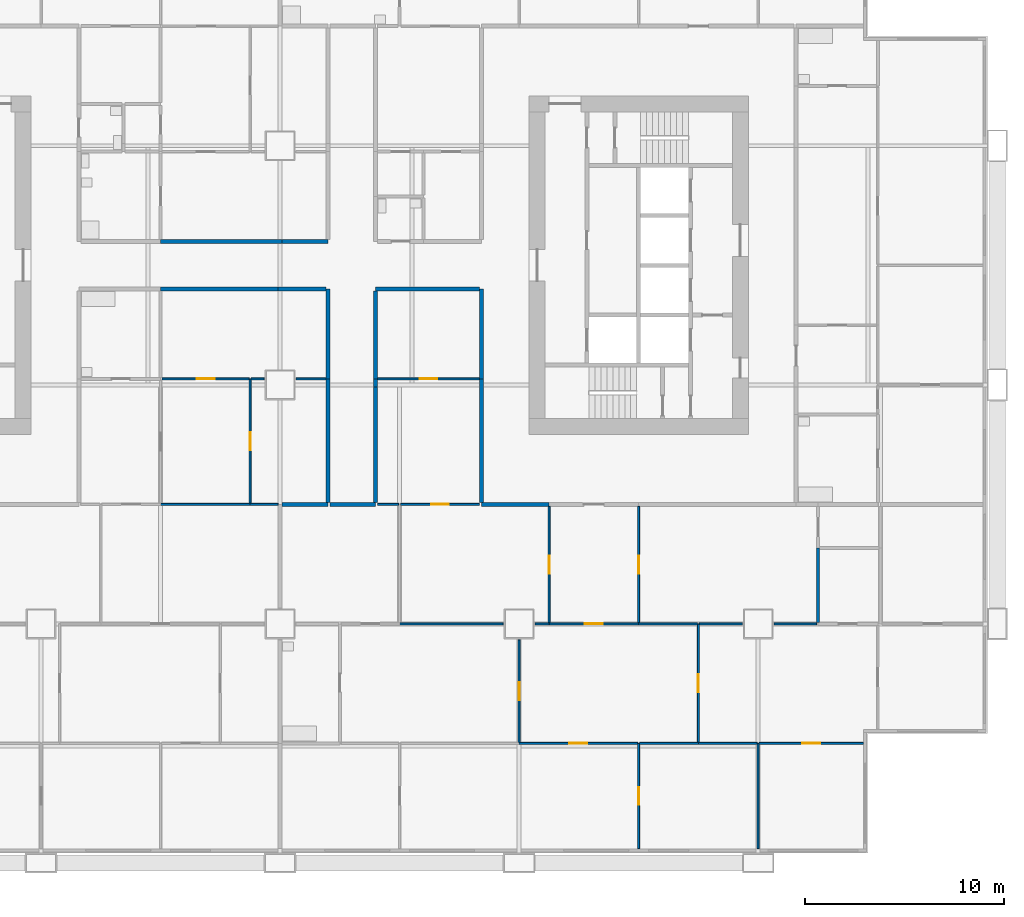
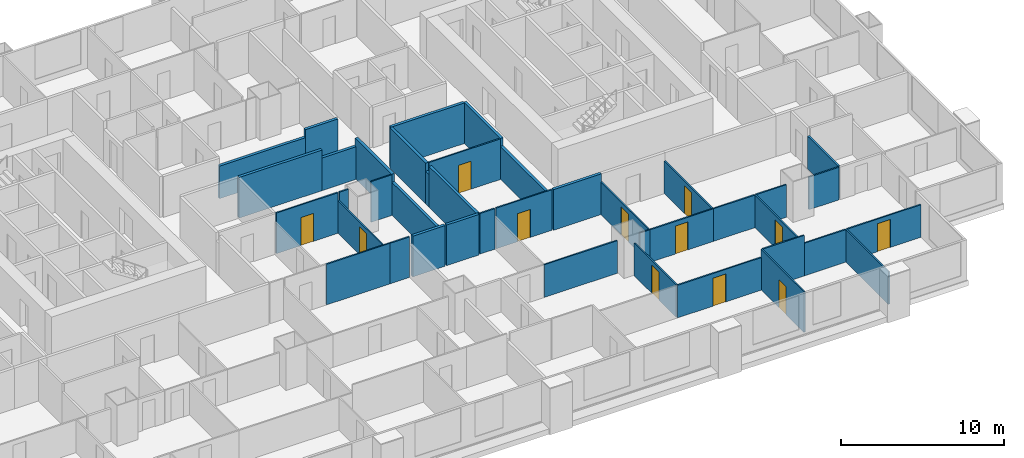
# One storey, part 5 of 13: 41 walls, 12 doors, 12 openings.
"""IFC4 building model written with IfcOpenShell, lengths in metres."""

from ifc_helpers import new_model, si_unit, direction, frame, frame_2d, origin, place, context, subcontext, project, spatial, rectangle, extrude, material, layer, layer_set, type_object, element, fill, save


model = new_model("IFC4")

# Units and contexts
model_context = context("Model", 3, precision=1e-05, world=origin(), true_north=direction((0.0, 1.0)))
body_context = subcontext(model_context, "Body", "Model", "MODEL_VIEW")
ifc_project = project(units=[si_unit("LENGTHUNIT", "METRE"), si_unit("AREAUNIT", "SQUARE_METRE"), si_unit("VOLUMEUNIT", "CUBIC_METRE"), si_unit("PLANEANGLEUNIT", "RADIAN"), si_unit("MASSUNIT", "GRAM", prefix="KILO")], contexts=[model_context])

# Site, building, storey
site_placement = place(None, origin())
site = spatial("IfcSite", under=ifc_project, at=site_placement, CompositionType="ELEMENT")
building_placement = place(site_placement, origin())
building = spatial("IfcBuilding", under=site, at=building_placement, Name="Kitamizu Gate Tower and Museum", CompositionType="ELEMENT")
storey_placement = place(building_placement, frame((0.0, 0.0, 88.64990234375)))
storey = spatial("IfcBuildingStorey", under=building, at=storey_placement, Name="L22", CompositionType="ELEMENT", Elevation=88.64990234375)

# Walls
ifc_material_1 = material(Name="Gypsum board on galvanised stud")
ifc_layer_1 = layer(ifc_material_1, 0.10009765625)
ifc_layer_set_1 = layer_set([ifc_layer_1], Name="Gypsum board on galvanised stud")
wall_type_1 = type_object("IfcWallType", Name="Partition 100 NOT RATED", PredefinedType="PARTITIONING", material=ifc_layer_set_1)
wall_1_placement = place(storey_placement, frame((34.5, 18.0, 0.0), z_axis=(0.0, 0.0, 1.0), x_axis=(-1.0, 0.0, 0.0)))
element("IfcWall", 1, at=wall_1_placement, inside=storey, type_object=wall_type_1, Name="Partition L22-044", PredefinedType="PARTITIONING", context=body_context, shape_type="SweptSolid", body=[
    extrude(rectangle(XDim=4.5, YDim=0.10009765625, at=frame_2d((2.25, 0.0))), origin(), (0.0, 0.0, 1.0), 3.050048828125),
])
wall_2_placement = place(storey_placement, frame((35.89990234375, 18.0, 0.0), z_axis=(0.0, 0.0, 1.0), x_axis=(-1.0, 0.0, 0.0)))
element("IfcWall", 2, at=wall_2_placement, inside=storey, type_object=wall_type_1, Name="Partition L22-045", PredefinedType="PARTITIONING", context=body_context, shape_type="SweptSolid", body=[
    extrude(rectangle(XDim=1.39990234375, YDim=0.10009765625, at=frame_2d((0.699951171875, 0.0))), origin(), (0.0, 0.0, 1.0), 3.050048828125),
])

# Wall, opening, door
wall_3_placement = place(storey_placement, frame((34.5, 18.050048828125, 0.0), z_axis=(0.0, 0.0, 1.0), x_axis=(0.0, 1.0, 0.0)))
wall_3 = element("IfcWall", 3, at=wall_3_placement, inside=storey, type_object=wall_type_1, Name="Partition L22-051", PredefinedType="PARTITIONING", context=body_context, shape_type="SweptSolid", body=[
    extrude(rectangle(XDim=6.25, YDim=0.10009765625, at=frame_2d((3.125, 0.0))), origin(), (0.0, 0.0, 1.0), 2.4501953125),
])
opening_1_placement = place(wall_3_placement, frame((2.675048828125, 0.0, 0.0)))
opening_1 = element("IfcOpeningElement", 4, at=opening_1_placement, cuts=wall_3, Name="Opening L22-018", PredefinedType="OPENING", context=body_context, shape_type="SweptSolid", body=[
    extrude(rectangle(XDim=0.89990234375, YDim=2.10009765625, at=frame_2d((0.449951171875, 1.050048828125))), frame((0.0, 0.06005859375, 0.0), z_axis=(0.0, -1.0, 0.0), x_axis=(1.0, 0.0, 0.0)), (0.0, 0.0, 1.0), 0.1201171875),
])
ifc_material_2 = material(Name="Timber door set", Category="wood")
door_type = type_object("IfcDoorType", Name="Room door 900", OperationType="NOTDEFINED", PredefinedType="DOOR", material=ifc_material_2)
door_1_placement = place(opening_1_placement, frame((0.89990234375, 0.0, 0.0), x_axis=(-1.0, 0.0, 0.0)))
door_1 = element("IfcDoor", 5, at=door_1_placement, inside=storey, type_object=door_type, Name="Door L22-018", OperationType="SINGLE_SWING_LEFT", OverallHeight=2.10009765625, OverallWidth=0.89990234375, PredefinedType="DOOR", context=body_context, shape_type="SweptSolid", body=[
    extrude(rectangle(XDim=0.89990234375, YDim=2.10009765625, at=frame_2d((0.449951171875, 1.050048828125))), frame((0.0, 0.02490234375, 0.0), z_axis=(0.0, -1.0, 0.0), x_axis=(1.0, 0.0, 0.0)), (0.0, 0.0, 1.0), 0.050048828125),
])
fill(opening_1, door_1)

wall_4_placement = place(storey_placement, frame((34.449951171875, 24.300048828125, 0.0), z_axis=(0.0, 0.0, 1.0), x_axis=(-1.0, 0.0, 0.0)))
wall_4 = element("IfcWall", 6, at=wall_4_placement, inside=storey, type_object=wall_type_1, Name="Partition L22-052", PredefinedType="PARTITIONING", context=body_context, shape_type="SweptSolid", body=[
    extrude(rectangle(XDim=4.375, YDim=0.10009765625, at=frame_2d((2.1875, 0.0))), origin(), (0.0, 0.0, 1.0), 3.050048828125),
])
opening_2_placement = place(wall_4_placement, frame((1.737548828125, 0.0, 0.0)))
opening_2 = element("IfcOpeningElement", 7, at=opening_2_placement, cuts=wall_4, Name="Opening L22-020", PredefinedType="OPENING", context=body_context, shape_type="SweptSolid", body=[
    extrude(rectangle(XDim=0.89990234375, YDim=2.10009765625, at=frame_2d((0.449951171875, 1.050048828125))), frame((0.0, 0.06005859375, 0.0), z_axis=(0.0, -1.0, 0.0), x_axis=(1.0, 0.0, 0.0)), (0.0, 0.0, 1.0), 0.1201171875),
])
door_2_placement = place(opening_2_placement, origin())
door_2 = element("IfcDoor", 8, at=door_2_placement, inside=storey, type_object=door_type, Name="Door L22-020", OperationType="SINGLE_SWING_RIGHT", OverallHeight=2.10009765625, OverallWidth=0.89990234375, PredefinedType="DOOR", context=body_context, shape_type="SweptSolid", body=[
    extrude(rectangle(XDim=0.89990234375, YDim=2.10009765625, at=frame_2d((0.449951171875, 1.050048828125))), frame((0.0, 0.02490234375, 0.0), z_axis=(0.0, -1.0, 0.0), x_axis=(1.0, 0.0, 0.0)), (0.0, 0.0, 1.0), 0.050048828125),
])
fill(opening_2, door_2)

# Walls
wall_5_placement = place(storey_placement, frame((35.199951171875, 24.300048828125, 0.0), z_axis=(0.0, 0.0, 1.0), x_axis=(-1.0, 0.0, 0.0)))
element("IfcWall", 9, at=wall_5_placement, inside=storey, type_object=wall_type_1, Name="Partition L22-053", PredefinedType="PARTITIONING", context=body_context, shape_type="SweptSolid", body=[
    extrude(rectangle(XDim=0.64990234375, YDim=0.10009765625, at=frame_2d((0.324951171875, 0.0))), origin(), (0.0, 0.0, 1.0), 3.050048828125),
])
wall_6_placement = place(storey_placement, frame((38.300048828125, 24.300048828125, 0.0), z_axis=(0.0, 0.0, 1.0), x_axis=(-1.0, 0.0, 0.0)))
element("IfcWall", 10, at=wall_6_placement, inside=storey, type_object=wall_type_1, Name="Partition L22-054", PredefinedType="PARTITIONING", context=body_context, shape_type="SweptSolid", body=[
    extrude(rectangle(XDim=1.5, YDim=0.10009765625, at=frame_2d((0.75, 0.0))), origin(), (0.0, 0.0, 1.0), 3.050048828125),
])

# Wall, opening, door
wall_7_placement = place(storey_placement, frame((54.0, 0.719970703125, 0.0), z_axis=(0.0, 0.0, 1.0), x_axis=(0.0, 1.0, 0.0)))
wall_7 = element("IfcWall", 11, at=wall_7_placement, inside=storey, type_object=wall_type_1, Name="Partition L22-124", PredefinedType="PARTITIONING", context=body_context, shape_type="SweptSolid", body=[
    extrude(rectangle(XDim=5.280029296875, YDim=0.10009765625, at=frame_2d((2.64013671875, 0.0))), origin(), (0.0, 0.0, 1.0), 3.050048828125),
])
opening_3_placement = place(wall_7_placement, frame((2.18994140625, 0.0, 0.0)))
opening_3 = element("IfcOpeningElement", 12, at=opening_3_placement, cuts=wall_7, Name="Opening L22-049", PredefinedType="OPENING", context=body_context, shape_type="SweptSolid", body=[
    extrude(rectangle(XDim=0.89990234375, YDim=2.10009765625, at=frame_2d((0.449951171875, 1.050048828125))), frame((0.0, 0.06005859375, 0.0), z_axis=(0.0, -1.0, 0.0), x_axis=(1.0, 0.0, 0.0)), (0.0, 0.0, 1.0), 0.1201171875),
])
door_3_placement = place(opening_3_placement, frame((0.89990234375, 0.0, 0.0), x_axis=(-1.0, 0.0, 0.0)))
door_3 = element("IfcDoor", 13, at=door_3_placement, inside=storey, type_object=door_type, Name="Door L22-049", OperationType="SINGLE_SWING_LEFT", OverallHeight=2.10009765625, OverallWidth=0.89990234375, PredefinedType="DOOR", context=body_context, shape_type="SweptSolid", body=[
    extrude(rectangle(XDim=0.89990234375, YDim=2.10009765625, at=frame_2d((0.449951171875, 1.050048828125))), frame((0.0, 0.02490234375, 0.0), z_axis=(0.0, -1.0, 0.0), x_axis=(1.0, 0.0, 0.0)), (0.0, 0.0, 1.0), 0.050048828125),
])
fill(opening_3, door_3)

wall_8_placement = place(storey_placement, frame((53.949951171875, 6.0, 0.0), z_axis=(0.0, 0.0, 1.0), x_axis=(-1.0, 0.0, 0.0)))
wall_8 = element("IfcWall", 14, at=wall_8_placement, inside=storey, type_object=wall_type_1, Name="Partition L22-126", PredefinedType="PARTITIONING", context=body_context, shape_type="SweptSolid", body=[
    extrude(rectangle(XDim=5.949951171875, YDim=0.10009765625, at=frame_2d((2.97509765625, 0.0))), origin(), (0.0, 0.0, 1.0), 2.4501953125),
])
opening_4_placement = place(wall_8_placement, frame((2.52490234375, 0.0, 0.0)))
opening_4 = element("IfcOpeningElement", 15, at=opening_4_placement, cuts=wall_8, Name="Opening L22-043", PredefinedType="OPENING", context=body_context, shape_type="SweptSolid", body=[
    extrude(rectangle(XDim=0.89990234375, YDim=2.10009765625, at=frame_2d((0.449951171875, 1.050048828125))), frame((0.0, 0.06005859375, 0.0), z_axis=(0.0, -1.0, 0.0), x_axis=(1.0, 0.0, 0.0)), (0.0, 0.0, 1.0), 0.1201171875),
])
door_4_placement = place(opening_4_placement, frame((0.89990234375, 0.0, 0.0), x_axis=(-1.0, 0.0, 0.0)))
door_4 = element("IfcDoor", 16, at=door_4_placement, inside=storey, type_object=door_type, Name="Door L22-043", OperationType="SINGLE_SWING_LEFT", OverallHeight=2.10009765625, OverallWidth=0.89990234375, PredefinedType="DOOR", context=body_context, shape_type="SweptSolid", body=[
    extrude(rectangle(XDim=0.89990234375, YDim=2.10009765625, at=frame_2d((0.449951171875, 1.050048828125))), frame((0.0, 0.02490234375, 0.0), z_axis=(0.0, -1.0, 0.0), x_axis=(1.0, 0.0, 0.0)), (0.0, 0.0, 1.0), 0.050048828125),
])
fill(opening_4, door_4)

# Walls
wall_9_placement = place(storey_placement, frame((60.0, 0.719970703125, 0.0), z_axis=(0.0, 0.0, 1.0), x_axis=(0.0, 1.0, 0.0)))
element("IfcWall", 17, at=wall_9_placement, inside=storey, type_object=wall_type_1, Name="Partition L22-127", PredefinedType="PARTITIONING", context=body_context, shape_type="SweptSolid", body=[
    extrude(rectangle(XDim=5.280029296875, YDim=0.10009765625, at=frame_2d((2.64013671875, 0.0))), origin(), (0.0, 0.0, 1.0), 2.4501953125),
])
wall_10_placement = place(storey_placement, frame((57.0, 6.0, 0.0), z_axis=(0.0, 0.0, 1.0), x_axis=(-1.0, 0.0, 0.0)))
element("IfcWall", 18, at=wall_10_placement, inside=storey, type_object=wall_type_1, Name="Partition L22-128", PredefinedType="PARTITIONING", context=body_context, shape_type="SweptSolid", body=[
    extrude(rectangle(XDim=2.949951171875, YDim=0.10009765625, at=frame_2d((1.47509765625, 0.0))), origin(), (0.0, 0.0, 1.0), 3.050048828125),
])
wall_11_placement = place(storey_placement, frame((59.949951171875, 6.0, 0.0), z_axis=(0.0, 0.0, 1.0), x_axis=(-1.0, 0.0, 0.0)))
element("IfcWall", 19, at=wall_11_placement, inside=storey, type_object=wall_type_1, Name="Partition L22-129", PredefinedType="PARTITIONING", context=body_context, shape_type="SweptSolid", body=[
    extrude(rectangle(XDim=2.949951171875, YDim=0.10009765625, at=frame_2d((1.47509765625, 0.0))), origin(), (0.0, 0.0, 1.0), 2.4501953125),
])

# Wall, opening, door
wall_12_placement = place(storey_placement, frame((65.280029296875, 6.0, 0.0), z_axis=(0.0, 0.0, 1.0), x_axis=(-1.0, 0.0, 0.0)))
wall_12 = element("IfcWall", 20, at=wall_12_placement, inside=storey, type_object=wall_type_1, Name="Partition L22-130", PredefinedType="PARTITIONING", context=body_context, shape_type="SweptSolid", body=[
    extrude(rectangle(XDim=5.22998046875, YDim=0.10009765625, at=frame_2d((2.614990234375, 0.0))), origin(), (0.0, 0.0, 1.0), 2.4501953125),
])
opening_5_placement = place(wall_12_placement, frame((2.1650390625, 0.0, 0.0)))
opening_5 = element("IfcOpeningElement", 21, at=opening_5_placement, cuts=wall_12, Name="Opening L22-046", PredefinedType="OPENING", context=body_context, shape_type="SweptSolid", body=[
    extrude(rectangle(XDim=0.89990234375, YDim=2.10009765625, at=frame_2d((0.449951171875, 1.050048828125))), frame((0.0, 0.06005859375, 0.0), z_axis=(0.0, -1.0, 0.0), x_axis=(1.0, 0.0, 0.0)), (0.0, 0.0, 1.0), 0.1201171875),
])
door_5_placement = place(opening_5_placement, origin())
door_5 = element("IfcDoor", 22, at=door_5_placement, inside=storey, type_object=door_type, Name="Door L22-046", OperationType="SINGLE_SWING_LEFT", OverallHeight=2.10009765625, OverallWidth=0.89990234375, PredefinedType="DOOR", context=body_context, shape_type="SweptSolid", body=[
    extrude(rectangle(XDim=0.89990234375, YDim=2.10009765625, at=frame_2d((0.449951171875, 1.050048828125))), frame((0.0, 0.02490234375, 0.0), z_axis=(0.0, -1.0, 0.0), x_axis=(1.0, 0.0, 0.0)), (0.0, 0.0, 1.0), 0.050048828125),
])
fill(opening_5, door_5)

wall_13_placement = place(storey_placement, frame((48.0, 6.050048828125, 0.0), z_axis=(0.0, 0.0, 1.0), x_axis=(0.0, 1.0, 0.0)))
wall_13 = element("IfcWall", 23, at=wall_13_placement, inside=storey, type_object=wall_type_1, Name="Partition L22-133", PredefinedType="PARTITIONING", context=body_context, shape_type="SweptSolid", body=[
    extrude(rectangle(XDim=5.14990234375, YDim=0.10009765625, at=frame_2d((2.574951171875, 0.0))), origin(), (0.0, 0.0, 1.0), 2.4501953125),
])
opening_6_placement = place(wall_13_placement, frame((2.125, 0.0, 0.0)))
opening_6 = element("IfcOpeningElement", 24, at=opening_6_placement, cuts=wall_13, Name="Opening L22-044", PredefinedType="OPENING", context=body_context, shape_type="SweptSolid", body=[
    extrude(rectangle(XDim=0.89990234375, YDim=2.10009765625, at=frame_2d((0.449951171875, 1.050048828125))), frame((0.0, 0.06005859375, 0.0), z_axis=(0.0, -1.0, 0.0), x_axis=(1.0, 0.0, 0.0)), (0.0, 0.0, 1.0), 0.1201171875),
])
door_6_placement = place(opening_6_placement, frame((0.89990234375, 0.0, 0.0), x_axis=(-1.0, 0.0, 0.0)))
door_6 = element("IfcDoor", 25, at=door_6_placement, inside=storey, type_object=door_type, Name="Door L22-044", OperationType="SINGLE_SWING_RIGHT", OverallHeight=2.10009765625, OverallWidth=0.89990234375, PredefinedType="DOOR", context=body_context, shape_type="SweptSolid", body=[
    extrude(rectangle(XDim=0.89990234375, YDim=2.10009765625, at=frame_2d((0.449951171875, 1.050048828125))), frame((0.0, 0.02490234375, 0.0), z_axis=(0.0, -1.0, 0.0), x_axis=(1.0, 0.0, 0.0)), (0.0, 0.0, 1.0), 0.050048828125),
])
fill(opening_6, door_6)

# Wall
wall_14_placement = place(storey_placement, frame((47.199951171875, 12.0, 0.0), z_axis=(0.0, 0.0, 1.0), x_axis=(-1.0, 0.0, 0.0)))
element("IfcWall", 26, at=wall_14_placement, inside=storey, type_object=wall_type_1, Name="Partition L22-135", PredefinedType="PARTITIONING", context=body_context, shape_type="SweptSolid", body=[
    extrude(rectangle(XDim=5.199951171875, YDim=0.10009765625, at=frame_2d((2.60009765625, 0.0))), origin(), (0.0, 0.0, 1.0), 2.4501953125),
])

# Wall, opening, door
wall_15_placement = place(storey_placement, frame((57.0, 6.050048828125, 0.0), z_axis=(0.0, 0.0, 1.0), x_axis=(0.0, 1.0, 0.0)))
wall_15 = element("IfcWall", 27, at=wall_15_placement, inside=storey, type_object=wall_type_1, Name="Partition L22-136", PredefinedType="PARTITIONING", context=body_context, shape_type="SweptSolid", body=[
    extrude(rectangle(XDim=5.949951171875, YDim=0.10009765625, at=frame_2d((2.97509765625, 0.0))), origin(), (0.0, 0.0, 1.0), 2.4501953125),
])
opening_7_placement = place(wall_15_placement, frame((2.52490234375, 0.0, 0.0)))
opening_7 = element("IfcOpeningElement", 28, at=opening_7_placement, cuts=wall_15, Name="Opening L22-045", PredefinedType="OPENING", context=body_context, shape_type="SweptSolid", body=[
    extrude(rectangle(XDim=0.89990234375, YDim=2.10009765625, at=frame_2d((0.449951171875, 1.050048828125))), frame((0.0, 0.06005859375, 0.0), z_axis=(0.0, -1.0, 0.0), x_axis=(1.0, 0.0, 0.0)), (0.0, 0.0, 1.0), 0.1201171875),
])
door_7_placement = place(opening_7_placement, frame((0.89990234375, 0.0, 0.0), x_axis=(-1.0, 0.0, 0.0)))
door_7 = element("IfcDoor", 29, at=door_7_placement, inside=storey, type_object=door_type, Name="Door L22-045", OperationType="SINGLE_SWING_LEFT", OverallHeight=2.10009765625, OverallWidth=0.89990234375, PredefinedType="DOOR", context=body_context, shape_type="SweptSolid", body=[
    extrude(rectangle(XDim=0.89990234375, YDim=2.10009765625, at=frame_2d((0.449951171875, 1.050048828125))), frame((0.0, 0.02490234375, 0.0), z_axis=(0.0, -1.0, 0.0), x_axis=(1.0, 0.0, 0.0)), (0.0, 0.0, 1.0), 0.050048828125),
])
fill(opening_7, door_7)

# Wall
wall_16_placement = place(storey_placement, frame((49.5, 12.0, 0.0), z_axis=(0.0, 0.0, 1.0), x_axis=(-1.0, 0.0, 0.0)))
element("IfcWall", 30, at=wall_16_placement, inside=storey, type_object=wall_type_1, Name="Partition L22-137", PredefinedType="PARTITIONING", context=body_context, shape_type="SweptSolid", body=[
    extrude(rectangle(XDim=0.699951171875, YDim=0.10009765625, at=frame_2d((0.35009765625, 0.0))), origin(), (0.0, 0.0, 1.0), 2.4501953125),
])

# Wall, opening, door
wall_17_placement = place(storey_placement, frame((54.0, 12.0, 0.0), z_axis=(0.0, 0.0, 1.0), x_axis=(-1.0, 0.0, 0.0)))
wall_17 = element("IfcWall", 31, at=wall_17_placement, inside=storey, type_object=wall_type_1, Name="Partition L22-138", PredefinedType="PARTITIONING", context=body_context, shape_type="SweptSolid", body=[
    extrude(rectangle(XDim=4.5, YDim=0.10009765625, at=frame_2d((2.25, 0.0))), origin(), (0.0, 0.0, 1.0), 2.4501953125),
])
opening_8_placement = place(wall_17_placement, frame((1.800048828125, 0.0, 0.0)))
opening_8 = element("IfcOpeningElement", 32, at=opening_8_placement, cuts=wall_17, Name="Opening L22-042", PredefinedType="OPENING", context=body_context, shape_type="SweptSolid", body=[
    extrude(rectangle(XDim=0.89990234375, YDim=2.10009765625, at=frame_2d((0.449951171875, 1.050048828125))), frame((0.0, 0.06005859375, 0.0), z_axis=(0.0, -1.0, 0.0), x_axis=(1.0, 0.0, 0.0)), (0.0, 0.0, 1.0), 0.1201171875),
])
door_8_placement = place(opening_8_placement, origin())
door_8 = element("IfcDoor", 33, at=door_8_placement, inside=storey, type_object=door_type, Name="Door L22-042", OperationType="SINGLE_SWING_LEFT", OverallHeight=2.10009765625, OverallWidth=0.89990234375, PredefinedType="DOOR", context=body_context, shape_type="SweptSolid", body=[
    extrude(rectangle(XDim=0.89990234375, YDim=2.10009765625, at=frame_2d((0.449951171875, 1.050048828125))), frame((0.0, 0.02490234375, 0.0), z_axis=(0.0, -1.0, 0.0), x_axis=(1.0, 0.0, 0.0)), (0.0, 0.0, 1.0), 0.050048828125),
])
fill(opening_8, door_8)

# Walls
wall_18_placement = place(storey_placement, frame((56.949951171875, 12.0, 0.0), z_axis=(0.0, 0.0, 1.0), x_axis=(-1.0, 0.0, 0.0)))
element("IfcWall", 34, at=wall_18_placement, inside=storey, type_object=wall_type_1, Name="Partition L22-139", PredefinedType="PARTITIONING", context=body_context, shape_type="SweptSolid", body=[
    extrude(rectangle(XDim=2.949951171875, YDim=0.10009765625, at=frame_2d((1.47509765625, 0.0))), origin(), (0.0, 0.0, 1.0), 2.4501953125),
])
wall_19_placement = place(storey_placement, frame((59.199951171875, 12.0, 0.0), z_axis=(0.0, 0.0, 1.0), x_axis=(-1.0, 0.0, 0.0)))
element("IfcWall", 35, at=wall_19_placement, inside=storey, type_object=wall_type_1, Name="Partition L22-141", PredefinedType="PARTITIONING", context=body_context, shape_type="SweptSolid", body=[
    extrude(rectangle(XDim=2.14990234375, YDim=0.10009765625, at=frame_2d((1.074951171875, 0.0))), origin(), (0.0, 0.0, 1.0), 2.4501953125),
])
wall_20_placement = place(storey_placement, frame((62.925048828125, 12.0, 0.0), z_axis=(0.0, 0.0, 1.0), x_axis=(-1.0, 0.0, 0.0)))
element("IfcWall", 36, at=wall_20_placement, inside=storey, type_object=wall_type_1, Name="Partition L22-142", PredefinedType="PARTITIONING", context=body_context, shape_type="SweptSolid", body=[
    extrude(rectangle(XDim=2.125, YDim=0.10009765625, at=frame_2d((1.0625, 0.0))), origin(), (0.0, 0.0, 1.0), 2.4501953125),
])
wall_21_placement = place(storey_placement, frame((41.949951171875, 18.0, 0.0), z_axis=(0.0, 0.0, 1.0), x_axis=(-1.0, 0.0, 0.0)))
element("IfcWall", 37, at=wall_21_placement, inside=storey, type_object=wall_type_1, Name="Partition L22-146", PredefinedType="PARTITIONING", context=body_context, shape_type="SweptSolid", body=[
    extrude(rectangle(XDim=1.050048828125, YDim=0.10009765625, at=frame_2d((0.52490234375, 0.0))), origin(), (0.0, 0.0, 1.0), 3.050048828125),
])

# Wall, opening, door
wall_22_placement = place(storey_placement, frame((49.5, 12.050048828125, 0.0), z_axis=(0.0, 0.0, 1.0), x_axis=(0.0, 1.0, 0.0)))
wall_22 = element("IfcWall", 38, at=wall_22_placement, inside=storey, type_object=wall_type_1, Name="Partition L22-148", PredefinedType="PARTITIONING", context=body_context, shape_type="SweptSolid", body=[
    extrude(rectangle(XDim=5.849853515625, YDim=0.10009765625, at=frame_2d((2.9248046875, 0.0))), origin(), (0.0, 0.0, 1.0), 2.4501953125),
])
opening_9_placement = place(wall_22_placement, frame((2.47509765625, 0.0, 0.0)))
opening_9 = element("IfcOpeningElement", 39, at=opening_9_placement, cuts=wall_22, Name="Opening L22-052", PredefinedType="OPENING", context=body_context, shape_type="SweptSolid", body=[
    extrude(rectangle(XDim=0.89990234375, YDim=2.10009765625, at=frame_2d((0.449951171875, 1.050048828125))), frame((0.0, 0.06005859375, 0.0), z_axis=(0.0, -1.0, 0.0), x_axis=(1.0, 0.0, 0.0)), (0.0, 0.0, 1.0), 0.1201171875),
])
door_9_placement = place(opening_9_placement, origin())
door_9 = element("IfcDoor", 40, at=door_9_placement, inside=storey, type_object=door_type, Name="Door L22-052", OperationType="SINGLE_SWING_RIGHT", OverallHeight=2.10009765625, OverallWidth=0.89990234375, PredefinedType="DOOR", context=body_context, shape_type="SweptSolid", body=[
    extrude(rectangle(XDim=0.89990234375, YDim=2.10009765625, at=frame_2d((0.449951171875, 1.050048828125))), frame((0.0, 0.02490234375, 0.0), z_axis=(0.0, -1.0, 0.0), x_axis=(1.0, 0.0, 0.0)), (0.0, 0.0, 1.0), 0.050048828125),
])
fill(opening_9, door_9)

wall_23_placement = place(storey_placement, frame((46.0, 18.0, 0.0), z_axis=(0.0, 0.0, 1.0), x_axis=(-1.0, 0.0, 0.0)))
wall_23 = element("IfcWall", 41, at=wall_23_placement, inside=storey, type_object=wall_type_1, Name="Partition L22-149", PredefinedType="PARTITIONING", context=body_context, shape_type="SweptSolid", body=[
    extrude(rectangle(XDim=3.949951171875, YDim=0.10009765625, at=frame_2d((1.97509765625, 0.0))), origin(), (0.0, 0.0, 1.0), 3.050048828125),
])
opening_10_placement = place(wall_23_placement, frame((1.52490234375, 0.0, 0.0)))
opening_10 = element("IfcOpeningElement", 42, at=opening_10_placement, cuts=wall_23, Name="Opening L22-057", PredefinedType="OPENING", context=body_context, shape_type="SweptSolid", body=[
    extrude(rectangle(XDim=0.89990234375, YDim=2.10009765625, at=frame_2d((0.449951171875, 1.050048828125))), frame((0.0, 0.06005859375, 0.0), z_axis=(0.0, -1.0, 0.0), x_axis=(1.0, 0.0, 0.0)), (0.0, 0.0, 1.0), 0.1201171875),
])
door_10_placement = place(opening_10_placement, frame((0.89990234375, 0.0, 0.0), x_axis=(-1.0, 0.0, 0.0)))
door_10 = element("IfcDoor", 43, at=door_10_placement, inside=storey, type_object=door_type, Name="Door L22-057", OperationType="SINGLE_SWING_RIGHT", OverallHeight=2.10009765625, OverallWidth=0.89990234375, PredefinedType="DOOR", context=body_context, shape_type="SweptSolid", body=[
    extrude(rectangle(XDim=0.89990234375, YDim=2.10009765625, at=frame_2d((0.449951171875, 1.050048828125))), frame((0.0, 0.02490234375, 0.0), z_axis=(0.0, -1.0, 0.0), x_axis=(1.0, 0.0, 0.0)), (0.0, 0.0, 1.0), 0.050048828125),
])
fill(opening_10, door_10)

wall_24_placement = place(storey_placement, frame((54.0, 12.050048828125, 0.0), z_axis=(0.0, 0.0, 1.0), x_axis=(0.0, 1.0, 0.0)))
wall_24 = element("IfcWall", 44, at=wall_24_placement, inside=storey, type_object=wall_type_1, Name="Partition L22-151", PredefinedType="PARTITIONING", context=body_context, shape_type="SweptSolid", body=[
    extrude(rectangle(XDim=5.849853515625, YDim=0.10009765625, at=frame_2d((2.9248046875, 0.0))), origin(), (0.0, 0.0, 1.0), 2.4501953125),
])
opening_11_placement = place(wall_24_placement, frame((2.47509765625, 0.0, 0.0)))
opening_11 = element("IfcOpeningElement", 45, at=opening_11_placement, cuts=wall_24, Name="Opening L22-053", PredefinedType="OPENING", context=body_context, shape_type="SweptSolid", body=[
    extrude(rectangle(XDim=0.89990234375, YDim=2.10009765625, at=frame_2d((0.449951171875, 1.050048828125))), frame((0.0, 0.06005859375, 0.0), z_axis=(0.0, -1.0, 0.0), x_axis=(1.0, 0.0, 0.0)), (0.0, 0.0, 1.0), 0.1201171875),
])
door_11_placement = place(opening_11_placement, frame((0.89990234375, 0.0, 0.0), x_axis=(-1.0, 0.0, 0.0)))
door_11 = element("IfcDoor", 46, at=door_11_placement, inside=storey, type_object=door_type, Name="Door L22-053", OperationType="SINGLE_SWING_RIGHT", OverallHeight=2.10009765625, OverallWidth=0.89990234375, PredefinedType="DOOR", context=body_context, shape_type="SweptSolid", body=[
    extrude(rectangle(XDim=0.89990234375, YDim=2.10009765625, at=frame_2d((0.449951171875, 1.050048828125))), frame((0.0, 0.02490234375, 0.0), z_axis=(0.0, -1.0, 0.0), x_axis=(1.0, 0.0, 0.0)), (0.0, 0.0, 1.0), 0.050048828125),
])
fill(opening_11, door_11)

wall_25_placement = place(storey_placement, frame((46.0, 24.300048828125, 0.0), z_axis=(0.0, 0.0, 1.0), x_axis=(-1.0, 0.0, 0.0)))
wall_25 = element("IfcWall", 47, at=wall_25_placement, inside=storey, type_object=wall_type_1, Name="Partition L22-162", PredefinedType="PARTITIONING", context=body_context, shape_type="SweptSolid", body=[
    extrude(rectangle(XDim=5.10009765625, YDim=0.10009765625, at=frame_2d((2.550048828125, 0.0))), origin(), (0.0, 0.0, 1.0), 3.050048828125),
])
opening_12_placement = place(wall_25_placement, frame((2.10009765625, 0.0, 0.0)))
opening_12 = element("IfcOpeningElement", 48, at=opening_12_placement, cuts=wall_25, Name="Opening L22-058", PredefinedType="OPENING", context=body_context, shape_type="SweptSolid", body=[
    extrude(rectangle(XDim=0.89990234375, YDim=2.10009765625, at=frame_2d((0.449951171875, 1.050048828125))), frame((0.0, 0.06005859375, 0.0), z_axis=(0.0, -1.0, 0.0), x_axis=(1.0, 0.0, 0.0)), (0.0, 0.0, 1.0), 0.1201171875),
])
door_12_placement = place(opening_12_placement, frame((0.89990234375, 0.0, 0.0), x_axis=(-1.0, 0.0, 0.0)))
door_12 = element("IfcDoor", 49, at=door_12_placement, inside=storey, type_object=door_type, Name="Door L22-058", OperationType="SINGLE_SWING_LEFT", OverallHeight=2.10009765625, OverallWidth=0.89990234375, PredefinedType="DOOR", context=body_context, shape_type="SweptSolid", body=[
    extrude(rectangle(XDim=0.89990234375, YDim=2.10009765625, at=frame_2d((0.449951171875, 1.050048828125))), frame((0.0, 0.02490234375, 0.0), z_axis=(0.0, -1.0, 0.0), x_axis=(1.0, 0.0, 0.0)), (0.0, 0.0, 1.0), 0.050048828125),
])
fill(opening_12, door_12)

# Walls
ifc_material_3 = material(Name="Gypsum board on galvanised stud")
ifc_layer_2 = layer(ifc_material_3, 0.14990234375)
ifc_layer_set_2 = layer_set([ifc_layer_2], Name="Gypsum board on galvanised stud")
wall_type_2 = type_object("IfcWallType", Name="Partition 150", PredefinedType="PARTITIONING", material=ifc_layer_set_2)
wall_26_placement = place(storey_placement, frame((63.0, 12.074951171875, 0.0), z_axis=(0.0, 0.0, 1.0), x_axis=(0.0, 1.0, 0.0)))
element("IfcWall", 50, at=wall_26_placement, inside=storey, type_object=wall_type_2, Name="Partition L22-153", PredefinedType="PARTITIONING", context=body_context, shape_type="SweptSolid", body=[
    extrude(rectangle(XDim=3.739013671875, YDim=0.14990234375, at=frame_2d((1.86962890625, 0.0))), origin(), (0.0, 0.0, 1.0), 2.4501953125),
])
ifc_material_4 = material(Name="Gypsum board on galvanised stud")
ifc_layer_3 = layer(ifc_material_4, 0.199951171875)
ifc_layer_set_3 = layer_set([ifc_layer_3], Name="Gypsum board on galvanised stud")
wall_type_3 = type_object("IfcWallType", Name="Partition 200", PredefinedType="PARTITIONING", material=ifc_layer_set_3)
wall_27_placement = place(storey_placement, frame((36.10009765625, 18.0, 0.0), z_axis=(0.0, 0.0, 1.0), x_axis=(1.0, 0.0, 0.0)))
element("IfcWall", 51, at=wall_27_placement, inside=storey, type_object=wall_type_3, Name="Partition L22-055", PredefinedType="PARTITIONING", context=body_context, shape_type="SweptSolid", body=[
    extrude(rectangle(XDim=2.2998046875, YDim=0.199951171875, at=frame_2d((1.14990234375, 0.0))), origin(), (0.0, 0.0, 1.0), 3.050048828125),
])
wall_28_placement = place(storey_placement, frame((38.39990234375, 18.10009765625, 0.0), z_axis=(0.0, 0.0, 1.0), x_axis=(0.0, 1.0, 0.0)))
element("IfcWall", 52, at=wall_28_placement, inside=storey, type_object=wall_type_3, Name="Partition L22-056", PredefinedType="PARTITIONING", context=body_context, shape_type="SweptSolid", body=[
    extrude(rectangle(XDim=6.199951171875, YDim=0.199951171875, at=frame_2d((3.10009765625, 0.0))), origin(), (0.0, 0.0, 1.0), 2.4501953125),
])
wall_29_placement = place(storey_placement, frame((38.39990234375, 24.300048828125, 0.0), z_axis=(0.0, 0.0, 1.0), x_axis=(0.0, 1.0, 0.0)))
element("IfcWall", 53, at=wall_29_placement, inside=storey, type_object=wall_type_3, Name="Partition L22-060", PredefinedType="PARTITIONING", context=body_context, shape_type="SweptSolid", body=[
    extrude(rectangle(XDim=4.5, YDim=0.199951171875, at=frame_2d((2.25, 0.0))), origin(), (0.0, 0.0, 1.0), 3.050048828125),
])
wall_30_placement = place(storey_placement, frame((38.300048828125, 28.800048828125, 0.0), z_axis=(0.0, 0.0, 1.0), x_axis=(-1.0, 0.0, 0.0)))
element("IfcWall", 54, at=wall_30_placement, inside=storey, type_object=wall_type_3, Name="Partition L22-061", PredefinedType="PARTITIONING", context=body_context, shape_type="SweptSolid", body=[
    extrude(rectangle(XDim=2.400146484375, YDim=0.199951171875, at=frame_2d((1.2001953125, 0.0))), origin(), (0.0, 0.0, 1.0), 2.4501953125),
])
wall_31_placement = place(storey_placement, frame((35.89990234375, 28.800048828125, 0.0), z_axis=(0.0, 0.0, 1.0), x_axis=(-1.0, 0.0, 0.0)))
element("IfcWall", 55, at=wall_31_placement, inside=storey, type_object=wall_type_3, Name="Partition L22-062", PredefinedType="PARTITIONING", context=body_context, shape_type="SweptSolid", body=[
    extrude(rectangle(XDim=5.89990234375, YDim=0.199951171875, at=frame_2d((2.949951171875, 0.0))), origin(), (0.0, 0.0, 1.0), 3.050048828125),
])
wall_32_placement = place(storey_placement, frame((30.0, 31.199951171875, 0.0), z_axis=(0.0, 0.0, 1.0), x_axis=(1.0, 0.0, 0.0)))
element("IfcWall", 56, at=wall_32_placement, inside=storey, type_object=wall_type_3, Name="Partition L22-118", PredefinedType="PARTITIONING", context=body_context, shape_type="SweptSolid", body=[
    extrude(rectangle(XDim=6.10009765625, YDim=0.199951171875, at=frame_2d((3.050048828125, 0.0))), origin(), (0.0, 0.0, 1.0), 2.4501953125),
])
wall_33_placement = place(storey_placement, frame((36.10009765625, 31.199951171875, 0.0), z_axis=(0.0, 0.0, 1.0), x_axis=(1.0, 0.0, 0.0)))
element("IfcWall", 57, at=wall_33_placement, inside=storey, type_object=wall_type_3, Name="Partition L22-119", PredefinedType="PARTITIONING", context=body_context, shape_type="SweptSolid", body=[
    extrude(rectangle(XDim=2.2998046875, YDim=0.199951171875, at=frame_2d((1.14990234375, 0.0))), origin(), (0.0, 0.0, 1.0), 3.050048828125),
])
wall_34_placement = place(storey_placement, frame((40.800048828125, 18.0, 0.0), z_axis=(0.0, 0.0, 1.0), x_axis=(-1.0, 0.0, 0.0)))
element("IfcWall", 58, at=wall_34_placement, inside=storey, type_object=wall_type_3, Name="Partition L22-147", PredefinedType="PARTITIONING", context=body_context, shape_type="SweptSolid", body=[
    extrude(rectangle(XDim=2.300048828125, YDim=0.199951171875, at=frame_2d((1.14990234375, 0.0))), origin(), (0.0, 0.0, 1.0), 3.050048828125),
])
wall_35_placement = place(storey_placement, frame((49.5, 18.0, 0.0), z_axis=(0.0, 0.0, 1.0), x_axis=(-1.0, 0.0, 0.0)))
element("IfcWall", 59, at=wall_35_placement, inside=storey, type_object=wall_type_3, Name="Partition L22-150", PredefinedType="PARTITIONING", context=body_context, shape_type="SweptSolid", body=[
    extrude(rectangle(XDim=3.39990234375, YDim=0.199951171875, at=frame_2d((1.699951171875, 0.0))), origin(), (0.0, 0.0, 1.0), 3.050048828125),
])
wall_36_placement = place(storey_placement, frame((40.800048828125, 24.300048828125, 0.0), z_axis=(0.0, 0.0, 1.0), x_axis=(0.0, -1.0, 0.0)))
element("IfcWall", 60, at=wall_36_placement, inside=storey, type_object=wall_type_3, Name="Partition L22-163", PredefinedType="PARTITIONING", context=body_context, shape_type="SweptSolid", body=[
    extrude(rectangle(XDim=0.400146484375, YDim=0.199951171875, at=frame_2d((0.2001953125, 0.0))), origin(), (0.0, 0.0, 1.0), 2.4501953125),
])
wall_37_placement = place(storey_placement, frame((40.800048828125, 23.89990234375, 0.0), z_axis=(0.0, 0.0, 1.0), x_axis=(0.0, -1.0, 0.0)))
element("IfcWall", 61, at=wall_37_placement, inside=storey, type_object=wall_type_3, Name="Partition L22-164", PredefinedType="PARTITIONING", context=body_context, shape_type="SweptSolid", body=[
    extrude(rectangle(XDim=5.7998046875, YDim=0.199951171875, at=frame_2d((2.89990234375, 0.0))), origin(), (0.0, 0.0, 1.0), 3.050048828125),
])
wall_38_placement = place(storey_placement, frame((46.10009765625, 18.10009765625, 0.0), z_axis=(0.0, 0.0, 1.0), x_axis=(0.0, 1.0, 0.0)))
element("IfcWall", 62, at=wall_38_placement, inside=storey, type_object=wall_type_3, Name="Partition L22-165", PredefinedType="PARTITIONING", context=body_context, shape_type="SweptSolid", body=[
    extrude(rectangle(XDim=6.199951171875, YDim=0.199951171875, at=frame_2d((3.10009765625, 0.0))), origin(), (0.0, 0.0, 1.0), 2.4501953125),
])
wall_39_placement = place(storey_placement, frame((46.10009765625, 24.300048828125, 0.0), z_axis=(0.0, 0.0, 1.0), x_axis=(0.0, 1.0, 0.0)))
element("IfcWall", 63, at=wall_39_placement, inside=storey, type_object=wall_type_3, Name="Partition L22-166", PredefinedType="PARTITIONING", context=body_context, shape_type="SweptSolid", body=[
    extrude(rectangle(XDim=4.5, YDim=0.199951171875, at=frame_2d((2.25, 0.0))), origin(), (0.0, 0.0, 1.0), 3.050048828125),
])
wall_40_placement = place(storey_placement, frame((46.0, 28.800048828125, 0.0), z_axis=(0.0, 0.0, 1.0), x_axis=(-1.0, 0.0, 0.0)))
element("IfcWall", 64, at=wall_40_placement, inside=storey, type_object=wall_type_3, Name="Partition L22-167", PredefinedType="PARTITIONING", context=body_context, shape_type="SweptSolid", body=[
    extrude(rectangle(XDim=5.199951171875, YDim=0.199951171875, at=frame_2d((2.60009765625, 0.0))), origin(), (0.0, 0.0, 1.0), 3.050048828125),
])
wall_41_placement = place(storey_placement, frame((40.800048828125, 28.699951171875, 0.0), z_axis=(0.0, 0.0, 1.0), x_axis=(0.0, -1.0, 0.0)))
element("IfcWall", 65, at=wall_41_placement, inside=storey, type_object=wall_type_3, Name="Partition L22-168", PredefinedType="PARTITIONING", context=body_context, shape_type="SweptSolid", body=[
    extrude(rectangle(XDim=4.39990234375, YDim=0.199951171875, at=frame_2d((2.199951171875, 0.0))), origin(), (0.0, 0.0, 1.0), 3.050048828125),
])

save(model, "model.ifc")
